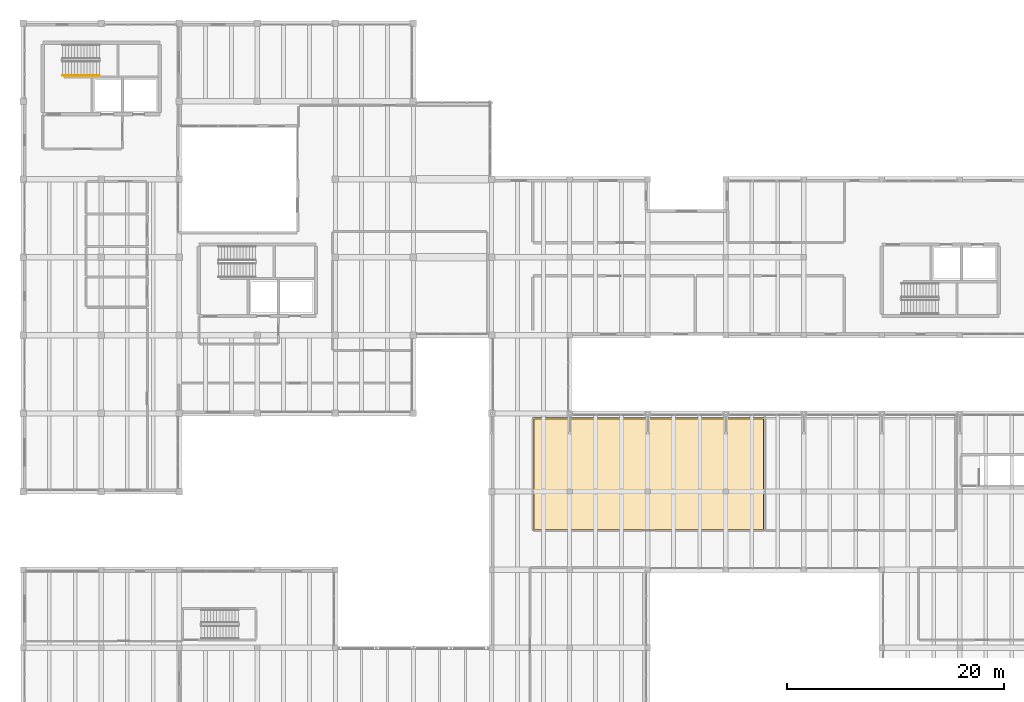
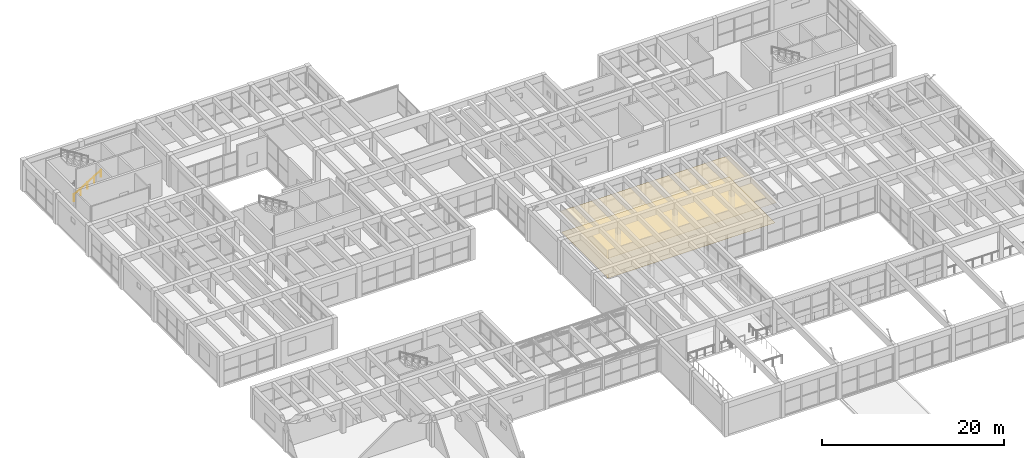
# One storey, part 150 of 153: 2 coverings, 1 railing.
"""IFC4 building model written with IfcOpenShell, lengths in metres."""

from ifc_helpers import new_model, si_unit, direction, frame, origin, origin_2d, place, context, subcontext, project, spatial, polyline, circle, outline, extrude, material, layer, layer_set, type_object, element, save


model = new_model("IFC4")

# Units and contexts
model_context = context("Model", 3, precision=1e-05, world=origin(), true_north=direction((0.0, 1.0)))
body_context = subcontext(model_context, "Body", "Model", "MODEL_VIEW")
ifc_project = project(units=[si_unit("LENGTHUNIT", "METRE"), si_unit("AREAUNIT", "SQUARE_METRE"), si_unit("VOLUMEUNIT", "CUBIC_METRE"), si_unit("PLANEANGLEUNIT", "RADIAN"), si_unit("MASSUNIT", "GRAM", prefix="KILO")], contexts=[model_context])

# Site, building, storey
site_placement = place(None, origin())
site = spatial("IfcSite", under=ifc_project, at=site_placement, CompositionType="ELEMENT")
building_placement = place(site_placement, origin())
building = spatial("IfcBuilding", under=site, at=building_placement, Name="Bramvelor Terrace Health Centre", CompositionType="ELEMENT")
storey_placement = place(building_placement, frame((0.0, 0.0, 4.800048828125)))
storey = spatial("IfcBuildingStorey", under=building, at=storey_placement, Name="L02", CompositionType="ELEMENT", Elevation=4.800048828125)

# Coverings
ifc_material_1 = material(Name="Hygienic mineral-fibre acoustic ceiling", Category="gypsum")
ifc_layer_1 = layer(ifc_material_1, 0.02001953125)
ifc_layer_set_1 = layer_set([ifc_layer_1], Name="Hygienic mineral-fibre acoustic ceiling")
covering_type_1 = type_object("IfcCoveringType", Name="COV-CLG-ACT", PredefinedType="CEILING", material=ifc_layer_set_1)
covering_1_placement = place(storey_placement, frame((0.0, 0.0, 2.75)))
element("IfcCovering", 1, at=covering_1_placement, inside=storey, type_object=covering_type_1, Name="L02 Audiology and Vision Screening Suite Acoustic Ceiling", PredefinedType="CEILING", context=body_context, shape_type="SweptSolid", body=[
    extrude(outline(polyline([(47.0, 68.389892578125), (46.998046875, 68.39013671875), (46.99609375, 68.390380859375), (46.994140625, 68.390869140625), (46.9921875, 68.3916015625), (46.990478515625, 68.392333984375), (46.989013671875, 68.393310546875), (46.9873046875, 68.39453125), (46.98583984375, 68.39599609375), (46.984619140625, 68.397216796875), (46.9833984375, 68.39892578125), (46.982421875, 68.400634765625), (46.9814453125, 68.40234375), (46.98095703125, 68.404296875), (46.98046875, 68.406005859375), (46.97998046875, 68.407958984375), (46.97998046875, 68.409912109375), (46.98193359375, 78.800048828125), (46.982177734375, 78.802001953125), (46.982421875, 78.803955078125), (46.98291015625, 78.805908203125), (46.9833984375, 78.8076171875), (46.984375, 78.809326171875), (46.9853515625, 78.81103515625), (46.986572265625, 78.812744140625), (46.98779296875, 78.814208984375), (46.9892578125, 78.8154296875), (46.990966796875, 78.816650390625), (46.99267578125, 78.817626953125), (46.994384765625, 78.818603515625), (46.99609375, 78.819091796875), (46.998046875, 78.819580078125), (47.0, 78.81982421875), (47.001953125, 78.820068359375), (68.39990234375, 78.820068359375), (68.402099609375, 78.81982421875), (68.40380859375, 78.819580078125), (68.40576171875, 78.819091796875), (68.40771484375, 78.818603515625), (68.409423828125, 78.817626953125), (68.4111328125, 78.816650390625), (68.41259765625, 78.8154296875), (68.4140625, 78.814208984375), (68.41552734375, 78.812744140625), (68.41650390625, 78.81103515625), (68.41748046875, 78.809326171875), (68.41845703125, 78.8076171875), (68.419189453125, 78.805908203125), (68.419677734375, 78.803955078125), (68.419921875, 78.802001953125), (68.419921875, 78.800048828125), (68.419921875, 68.409912109375), (68.419921875, 68.407958984375), (68.419677734375, 68.406005859375), (68.419189453125, 68.404296875), (68.41845703125, 68.40234375), (68.41748046875, 68.400634765625), (68.41650390625, 68.39892578125), (68.41552734375, 68.397216796875), (68.4140625, 68.39599609375), (68.41259765625, 68.39453125), (68.4111328125, 68.393310546875), (68.409423828125, 68.392333984375), (68.40771484375, 68.3916015625), (68.40576171875, 68.390869140625), (68.40380859375, 68.390380859375), (68.402099609375, 68.39013671875), (68.39990234375, 68.389892578125), (47.0, 68.389892578125)])), origin(), (0.0, 0.0, 1.0), 0.02001953125),
])
ifc_material_2 = material(Name="Seamless antimicrobial clinical vinyl", Category="polymer")
ifc_layer_2 = layer(ifc_material_2, 0.008056640625)
ifc_layer_set_2 = layer_set([ifc_layer_2], Name="Seamless antimicrobial clinical vinyl")
covering_type_2 = type_object("IfcCoveringType", Name="COV-FLR-VNL", PredefinedType="FLOORING", material=ifc_layer_set_2)
covering_2_placement = place(storey_placement, origin())
element("IfcCovering", 2, at=covering_2_placement, inside=storey, type_object=covering_type_2, Name="L02 Audiology and Vision Screening Suite Clinical Vinyl Flooring", PredefinedType="FLOORING", context=body_context, shape_type="SweptSolid", body=[
    extrude(outline(polyline([(47.10009765625, 68.510009765625), (47.10205078125, 78.699951171875), (68.300048828125, 78.699951171875), (68.300048828125, 68.510009765625), (47.10009765625, 68.510009765625)])), origin(), (0.0, 0.0, 1.0), 0.008056640625),
])

# Railing
ifc_material_3 = material(Name="Brushed stainless steel 316", Category="steel")
railing_type = type_object("IfcRailingType", Name="RLG-HR-900", PredefinedType="HANDRAIL", material=ifc_material_3)
railing_placement = place(storey_placement, frame((3.60009765625, 110.39990234375, 0.173095703125)))
element("IfcRailing", 3, at=railing_placement, inside=storey, type_object=railing_type, Name="L02 ST-1 stair handrail 1", PredefinedType="HANDRAIL", context=body_context, shape_type="SweptSolid", body=[
    extrude(circle(Radius=0.02392578125, at=origin_2d()), frame((0.0, 0.0, 0.8759765625), z_axis=(0.854729506542, 0.0, 0.519073665916), x_axis=(0.0, 1.0, 0.0)), (0.0, 0.0, 1.0), 4.001220703125),
    extrude(circle(Radius=0.02099609375, at=origin_2d()), origin(), (0.0, 0.0, 1.0), 0.851806640625),
    extrude(circle(Radius=0.02099609375, at=origin_2d()), frame((0.85498046875, 0.0, 0.519287109375)), (0.0, 0.0, 1.0), 0.851806640625),
    extrude(circle(Radius=0.02099609375, at=origin_2d()), frame((1.7099609375, 0.0, 1.03857421875)), (0.0, 0.0, 1.0), 0.851806640625),
    extrude(circle(Radius=0.02099609375, at=origin_2d()), frame((2.56494140625, 0.0, 1.5576171875)), (0.0, 0.0, 1.0), 0.851806640625),
    extrude(circle(Radius=0.02099609375, at=origin_2d()), frame((3.419921875, 0.0, 2.076904296875)), (0.0, 0.0, 1.0), 0.851806640625),
])

save(model, "model.ifc")
